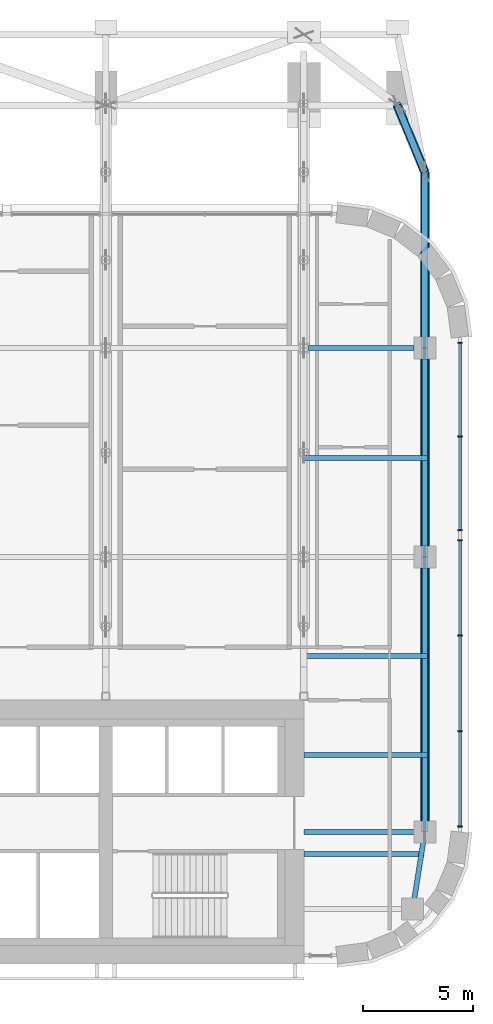
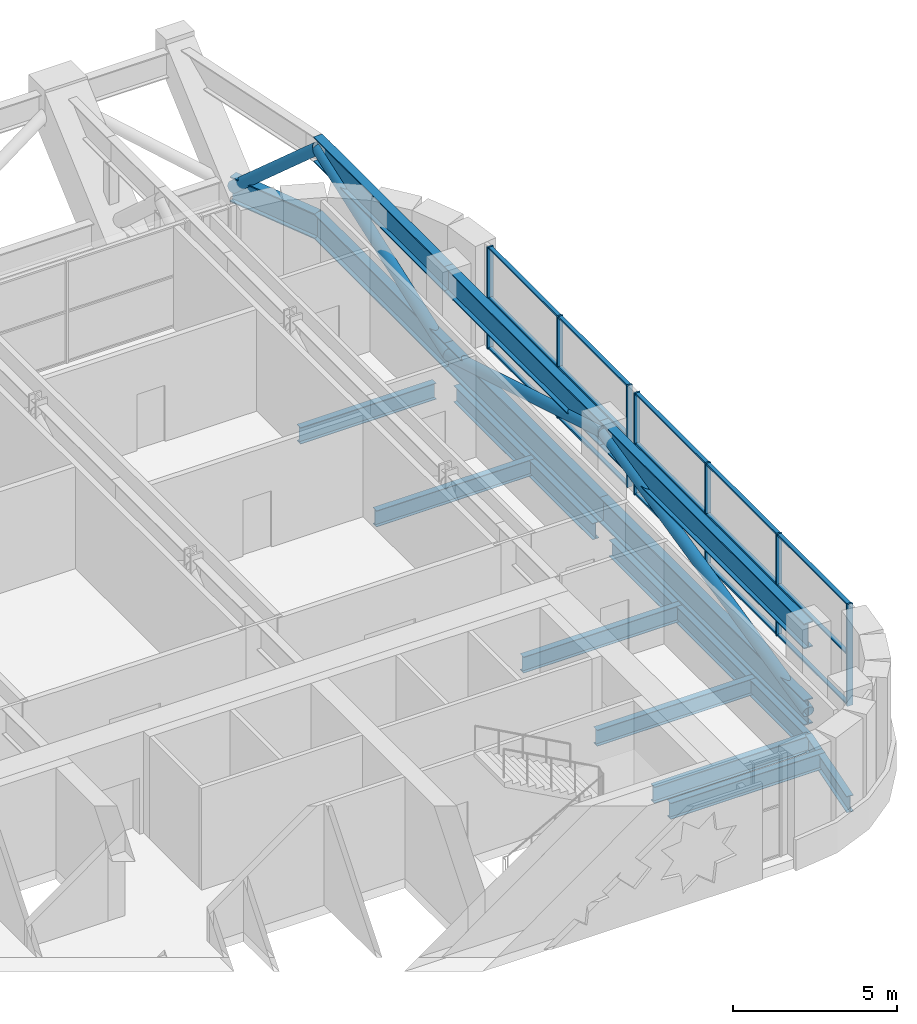
# One storey, part 9 of 23: 33 members, 9 beams, 2 elements without a shape of their own.
"""IFC4 building model written with IfcOpenShell, lengths in metres."""

from ifc_helpers import new_model, si_unit, direction, frame, origin, origin_2d, place, context, subcontext, project, spatial, rectangle, hollow_circle, i_section, extrude, material, material_profile, profile_set, type_object, element, aggregate, save


model = new_model("IFC4")

# Units and contexts
model_context = context("Model", 3, precision=1e-05, world=origin(), true_north=direction((0.0, 1.0)))
body_context = subcontext(model_context, "Body", "Model", "MODEL_VIEW")
ifc_project = project(units=[si_unit("LENGTHUNIT", "METRE"), si_unit("AREAUNIT", "SQUARE_METRE"), si_unit("VOLUMEUNIT", "CUBIC_METRE"), si_unit("PLANEANGLEUNIT", "RADIAN"), si_unit("MASSUNIT", "GRAM", prefix="KILO")], contexts=[model_context])

# Site, building, storey
site_placement = place(None, origin())
site = spatial("IfcSite", under=ifc_project, at=site_placement, CompositionType="ELEMENT")
building_placement = place(site_placement, origin())
building = spatial("IfcBuilding", under=site, at=building_placement, Name="Zellij Exchange Tower", CompositionType="ELEMENT")
storey_placement = place(building_placement, frame((0.0, 0.0, 160.5)))
storey = spatial("IfcBuildingStorey", under=building, at=storey_placement, Name="L36", CompositionType="ELEMENT", Elevation=160.5)

# Curtain wall, members
ifc_material_1 = material(Name="Aluminium frame, clear insulating glass", Category="aluminium")
curtain_wall_type = type_object("IfcCurtainWallType", Name="ENV-CW2 Outrigger-storey glazing", PredefinedType="NOTDEFINED", material=ifc_material_1)
curtain_wall_1_placement = place(storey_placement, origin())
curtain_wall_1 = element("IfcCurtainWall", 1, at=curtain_wall_1_placement, inside=storey, type_object=curtain_wall_type, Name="cw.L36.07a", PredefinedType="NOTDEFINED")
ifc_material_2 = material(Name="Aluminium", Category="aluminium")
ifc_material_profile_1 = material_profile(ifc_material_2, rectangle(XDim=0.06005859375, YDim=0.199951171875, at=origin_2d()), Name="AL 60x200")
ifc_profile_set_1 = profile_set([ifc_material_profile_1], Name="Aluminium")
member_type_1 = type_object("IfcMemberType", Name="ENV-CW2M Mullion 60x200", PredefinedType="MULLION", material=ifc_profile_set_1)
member_1_placement = place(storey_placement, frame((34.10009765625, -7.743896484375, 0.0), z_axis=(0.0, 0.0, 1.0), x_axis=(0.0, 1.0, 0.0)))
member_1 = element("IfcMember", 2, at=member_1_placement, type_object=member_type_1, Name="CW2 mullion 1", PredefinedType="MULLION", context=body_context, shape_type="SweptSolid", body=[
    extrude(rectangle(XDim=0.06005859375, YDim=0.199951171875, at=origin_2d()), origin(), (0.0, 0.0, 1.0), 3.800048828125),
])
member_2_placement = place(storey_placement, frame((34.10009765625, -3.417724609375, 0.0), z_axis=(0.0, 0.0, 1.0), x_axis=(0.0, 1.0, 0.0)))
member_2 = element("IfcMember", 3, at=member_2_placement, type_object=member_type_1, Name="CW2 mullion 2", PredefinedType="MULLION", context=body_context, shape_type="SweptSolid", body=[
    extrude(rectangle(XDim=0.06005859375, YDim=0.199951171875, at=origin_2d()), origin(), (0.0, 0.0, 1.0), 3.800048828125),
])
member_3_placement = place(storey_placement, frame((34.10009765625, 0.9384765625, 0.0), z_axis=(0.0, 0.0, 1.0), x_axis=(0.0, 1.0, 0.0)))
member_3 = element("IfcMember", 4, at=member_3_placement, type_object=member_type_1, Name="CW2 mullion 3", PredefinedType="MULLION", context=body_context, shape_type="SweptSolid", body=[
    extrude(rectangle(XDim=0.06005859375, YDim=0.199951171875, at=origin_2d()), origin(), (0.0, 0.0, 1.0), 3.800048828125),
])
member_4_placement = place(storey_placement, frame((34.10009765625, 5.2646484375, 0.0), z_axis=(0.0, 0.0, 1.0), x_axis=(0.0, 1.0, 0.0)))
member_4 = element("IfcMember", 5, at=member_4_placement, type_object=member_type_1, Name="CW2 mullion 4", PredefinedType="MULLION", context=body_context, shape_type="SweptSolid", body=[
    extrude(rectangle(XDim=0.06005859375, YDim=0.199951171875, at=origin_2d()), origin(), (0.0, 0.0, 1.0), 3.800048828125),
])

curtain_wall_2_placement = place(storey_placement, origin())
curtain_wall_2 = element("IfcCurtainWall", 6, at=curtain_wall_2_placement, inside=storey, type_object=curtain_wall_type, Name="cw.L36.07b", PredefinedType="NOTDEFINED")
member_5_placement = place(storey_placement, frame((34.10009765625, 5.724609375, 0.0), z_axis=(0.0, 0.0, 1.0), x_axis=(0.0, 1.0, 0.0)))
member_5 = element("IfcMember", 7, at=member_5_placement, type_object=member_type_1, Name="CW2 mullion 1", PredefinedType="MULLION", context=body_context, shape_type="SweptSolid", body=[
    extrude(rectangle(XDim=0.06005859375, YDim=0.199951171875, at=origin_2d()), origin(), (0.0, 0.0, 1.0), 3.800048828125),
])
member_6_placement = place(storey_placement, frame((34.10009765625, 9.984130859375, 0.0), z_axis=(0.0, 0.0, 1.0), x_axis=(0.0, 1.0, 0.0)))
member_6 = element("IfcMember", 8, at=member_6_placement, type_object=member_type_1, Name="CW2 mullion 2", PredefinedType="MULLION", context=body_context, shape_type="SweptSolid", body=[
    extrude(rectangle(XDim=0.06005859375, YDim=0.199951171875, at=origin_2d()), origin(), (0.0, 0.0, 1.0), 3.800048828125),
])
member_7_placement = place(storey_placement, frame((34.10009765625, 14.243896484375, 0.0), z_axis=(0.0, 0.0, 1.0), x_axis=(0.0, 1.0, 0.0)))
member_7 = element("IfcMember", 9, at=member_7_placement, type_object=member_type_1, Name="CW2 mullion 3", PredefinedType="MULLION", context=body_context, shape_type="SweptSolid", body=[
    extrude(rectangle(XDim=0.06005859375, YDim=0.199951171875, at=origin_2d()), origin(), (0.0, 0.0, 1.0), 3.800048828125),
])

# Member
ifc_material_profile_2 = material_profile(ifc_material_2, rectangle(XDim=0.139892578125, YDim=0.06005859375, at=origin_2d()), Name="AL 140x60")
ifc_profile_set_2 = profile_set([ifc_material_profile_2], Name="Aluminium")
member_type_2 = type_object("IfcMemberType", Name="ENV-CW2T Transom 140x60", PredefinedType="USERDEFINED", material=ifc_profile_set_2)
member_8_placement = place(storey_placement, frame((34.10009765625, -7.7138671875, 0.030029296875), z_axis=(0.0, 1.0, 0.0), x_axis=(-1.0, 0.0, 0.0)))
member_8 = element("IfcMember", 10, at=member_8_placement, type_object=member_type_2, Name="CW2 transom 1.1", ObjectType="TRANSOM", PredefinedType="USERDEFINED", context=body_context, shape_type="SweptSolid", body=[
    extrude(rectangle(XDim=0.139892578125, YDim=0.06005859375, at=origin_2d()), origin(), (0.0, 0.0, 1.0), 4.26611328125),
])

member_9_placement = place(storey_placement, frame((34.10009765625, -7.7138671875, 1.89990234375), z_axis=(0.0, 1.0, 0.0), x_axis=(-1.0, 0.0, 0.0)))
member_9 = element("IfcMember", 11, at=member_9_placement, type_object=member_type_2, Name="CW2 transom 1.2", ObjectType="TRANSOM", PredefinedType="USERDEFINED", context=body_context, shape_type="SweptSolid", body=[
    extrude(rectangle(XDim=0.139892578125, YDim=0.06005859375, at=origin_2d()), origin(), (0.0, 0.0, 1.0), 4.26611328125),
])

member_10_placement = place(storey_placement, frame((34.10009765625, -7.7138671875, 3.77001953125), z_axis=(0.0, 1.0, 0.0), x_axis=(-1.0, 0.0, 0.0)))
member_10 = element("IfcMember", 12, at=member_10_placement, type_object=member_type_2, Name="CW2 transom 1.3", ObjectType="TRANSOM", PredefinedType="USERDEFINED", context=body_context, shape_type="SweptSolid", body=[
    extrude(rectangle(XDim=0.139892578125, YDim=0.06005859375, at=origin_2d()), origin(), (0.0, 0.0, 1.0), 4.26611328125),
])

member_11_placement = place(storey_placement, frame((34.10009765625, -3.3876953125, 0.030029296875), z_axis=(0.0, 1.0, 0.0), x_axis=(-1.0, 0.0, 0.0)))
member_11 = element("IfcMember", 13, at=member_11_placement, type_object=member_type_2, Name="CW2 transom 2.1", ObjectType="TRANSOM", PredefinedType="USERDEFINED", context=body_context, shape_type="SweptSolid", body=[
    extrude(rectangle(XDim=0.139892578125, YDim=0.06005859375, at=origin_2d()), origin(), (0.0, 0.0, 1.0), 4.296142578125),
])

member_12_placement = place(storey_placement, frame((34.10009765625, -3.3876953125, 1.89990234375), z_axis=(0.0, 1.0, 0.0), x_axis=(-1.0, 0.0, 0.0)))
member_12 = element("IfcMember", 14, at=member_12_placement, type_object=member_type_2, Name="CW2 transom 2.2", ObjectType="TRANSOM", PredefinedType="USERDEFINED", context=body_context, shape_type="SweptSolid", body=[
    extrude(rectangle(XDim=0.139892578125, YDim=0.06005859375, at=origin_2d()), origin(), (0.0, 0.0, 1.0), 4.296142578125),
])

member_13_placement = place(storey_placement, frame((34.10009765625, -3.3876953125, 3.77001953125), z_axis=(0.0, 1.0, 0.0), x_axis=(-1.0, 0.0, 0.0)))
member_13 = element("IfcMember", 15, at=member_13_placement, type_object=member_type_2, Name="CW2 transom 2.3", ObjectType="TRANSOM", PredefinedType="USERDEFINED", context=body_context, shape_type="SweptSolid", body=[
    extrude(rectangle(XDim=0.139892578125, YDim=0.06005859375, at=origin_2d()), origin(), (0.0, 0.0, 1.0), 4.296142578125),
])

member_14_placement = place(storey_placement, frame((34.10009765625, 0.968505859375, 0.030029296875), z_axis=(0.0, 1.0, 0.0), x_axis=(-1.0, 0.0, 0.0)))
member_14 = element("IfcMember", 16, at=member_14_placement, type_object=member_type_2, Name="CW2 transom 3.1", ObjectType="TRANSOM", PredefinedType="USERDEFINED", context=body_context, shape_type="SweptSolid", body=[
    extrude(rectangle(XDim=0.139892578125, YDim=0.06005859375, at=origin_2d()), origin(), (0.0, 0.0, 1.0), 4.26611328125),
])

member_15_placement = place(storey_placement, frame((34.10009765625, 0.968505859375, 1.89990234375), z_axis=(0.0, 1.0, 0.0), x_axis=(-1.0, 0.0, 0.0)))
member_15 = element("IfcMember", 17, at=member_15_placement, type_object=member_type_2, Name="CW2 transom 3.2", ObjectType="TRANSOM", PredefinedType="USERDEFINED", context=body_context, shape_type="SweptSolid", body=[
    extrude(rectangle(XDim=0.139892578125, YDim=0.06005859375, at=origin_2d()), origin(), (0.0, 0.0, 1.0), 4.26611328125),
])

member_16_placement = place(storey_placement, frame((34.10009765625, 0.968505859375, 3.77001953125), z_axis=(0.0, 1.0, 0.0), x_axis=(-1.0, 0.0, 0.0)))
member_16 = element("IfcMember", 18, at=member_16_placement, type_object=member_type_2, Name="CW2 transom 3.3", ObjectType="TRANSOM", PredefinedType="USERDEFINED", context=body_context, shape_type="SweptSolid", body=[
    extrude(rectangle(XDim=0.139892578125, YDim=0.06005859375, at=origin_2d()), origin(), (0.0, 0.0, 1.0), 4.26611328125),
])

aggregate(curtain_wall_1, [member_1, member_2, member_3, member_4, member_8, member_9, member_10, member_11, member_12, member_13, member_14, member_15, member_16])

member_17_placement = place(storey_placement, frame((34.10009765625, 5.754638671875, 0.030029296875), z_axis=(0.0, 1.0, 0.0), x_axis=(-1.0, 0.0, 0.0)))
member_17 = element("IfcMember", 19, at=member_17_placement, type_object=member_type_2, Name="CW2 transom 1.1", ObjectType="TRANSOM", PredefinedType="USERDEFINED", context=body_context, shape_type="SweptSolid", body=[
    extrude(rectangle(XDim=0.139892578125, YDim=0.06005859375, at=origin_2d()), origin(), (0.0, 0.0, 1.0), 4.19970703125),
])

member_18_placement = place(storey_placement, frame((34.10009765625, 5.754638671875, 1.89990234375), z_axis=(0.0, 1.0, 0.0), x_axis=(-1.0, 0.0, 0.0)))
member_18 = element("IfcMember", 20, at=member_18_placement, type_object=member_type_2, Name="CW2 transom 1.2", ObjectType="TRANSOM", PredefinedType="USERDEFINED", context=body_context, shape_type="SweptSolid", body=[
    extrude(rectangle(XDim=0.139892578125, YDim=0.06005859375, at=origin_2d()), origin(), (0.0, 0.0, 1.0), 4.19970703125),
])

member_19_placement = place(storey_placement, frame((34.10009765625, 5.754638671875, 3.77001953125), z_axis=(0.0, 1.0, 0.0), x_axis=(-1.0, 0.0, 0.0)))
member_19 = element("IfcMember", 21, at=member_19_placement, type_object=member_type_2, Name="CW2 transom 1.3", ObjectType="TRANSOM", PredefinedType="USERDEFINED", context=body_context, shape_type="SweptSolid", body=[
    extrude(rectangle(XDim=0.139892578125, YDim=0.06005859375, at=origin_2d()), origin(), (0.0, 0.0, 1.0), 4.19970703125),
])

member_20_placement = place(storey_placement, frame((34.10009765625, 10.01416015625, 0.030029296875), z_axis=(0.0, 1.0, 0.0), x_axis=(-1.0, 0.0, 0.0)))
member_20 = element("IfcMember", 22, at=member_20_placement, type_object=member_type_2, Name="CW2 transom 2.1", ObjectType="TRANSOM", PredefinedType="USERDEFINED", context=body_context, shape_type="SweptSolid", body=[
    extrude(rectangle(XDim=0.139892578125, YDim=0.06005859375, at=origin_2d()), origin(), (0.0, 0.0, 1.0), 4.19970703125),
])

member_21_placement = place(storey_placement, frame((34.10009765625, 10.01416015625, 1.89990234375), z_axis=(0.0, 1.0, 0.0), x_axis=(-1.0, 0.0, 0.0)))
member_21 = element("IfcMember", 23, at=member_21_placement, type_object=member_type_2, Name="CW2 transom 2.2", ObjectType="TRANSOM", PredefinedType="USERDEFINED", context=body_context, shape_type="SweptSolid", body=[
    extrude(rectangle(XDim=0.139892578125, YDim=0.06005859375, at=origin_2d()), origin(), (0.0, 0.0, 1.0), 4.19970703125),
])

member_22_placement = place(storey_placement, frame((34.10009765625, 10.01416015625, 3.77001953125), z_axis=(0.0, 1.0, 0.0), x_axis=(-1.0, 0.0, 0.0)))
member_22 = element("IfcMember", 24, at=member_22_placement, type_object=member_type_2, Name="CW2 transom 2.3", ObjectType="TRANSOM", PredefinedType="USERDEFINED", context=body_context, shape_type="SweptSolid", body=[
    extrude(rectangle(XDim=0.139892578125, YDim=0.06005859375, at=origin_2d()), origin(), (0.0, 0.0, 1.0), 4.19970703125),
])

aggregate(curtain_wall_2, [member_5, member_6, member_7, member_17, member_18, member_19, member_20, member_21, member_22])

# Beams
ifc_material_3 = material(Name="Structural steel ASTM A992 Gr 50", Category="steel")
ifc_material_profile_3 = material_profile(ifc_material_3, i_section(OverallWidth=0.227783203125, OverallDepth=0.60205078125, WebThickness=0.010498046875, FlangeThickness=0.014892578125, at=origin_2d()), Name="W24x68")
ifc_profile_set_3 = profile_set([ifc_material_profile_3], Name="Structural steel ASTM A992 Gr 50")
beam_type_1 = type_object("IfcBeamType", Name="STR-BEAM W24x68", PredefinedType="BEAM", material=ifc_profile_set_3)
beam_1_placement = place(storey_placement, frame((27.0, -9.0, -0.65087890625), z_axis=(1.0, 0.0, 0.0), x_axis=(0.0, 1.0, 0.0)))
element("IfcBeam", 25, at=beam_1_placement, inside=storey, type_object=beam_type_1, Name="B5", PredefinedType="BEAM", context=body_context, shape_type="SweptSolid", body=[
    extrude(i_section(OverallWidth=0.227783203125, OverallDepth=0.60205078125, WebThickness=0.010498046875, FlangeThickness=0.014892578125, at=origin_2d()), origin(), (0.0, 0.0, 1.0), 5.458740234375),
])
for number, where, z_axis, x_axis, name in (
    (26, (27.0, -4.5, -0.65087890625), (1.0, 0.0, 0.0), (0.0, 1.0, 0.0), "B5"),
    (27, (27.0, 0.0, -0.65087890625), (1.0, 0.0, 0.0), (0.0, 1.0, 0.0), "B5"),
    (28, (27.0, 9.0, -0.65087890625), (1.0, 0.0, 0.0), (0.0, 1.0, 0.0), "B5"),
):
    element("IfcBeam", number, at=place(storey_placement, frame(where, z_axis=z_axis, x_axis=x_axis)), inside=storey, type_object=beam_type_1, Name=name, PredefinedType="BEAM", context=body_context, shape_type="SweptSolid", body=[
        extrude(i_section(OverallWidth=0.227783203125, OverallDepth=0.60205078125, WebThickness=0.010498046875, FlangeThickness=0.014892578125, at=origin_2d()), origin(), (0.0, 0.0, 1.0), 5.614501953125),
    ])

# Members
ifc_material_profile_4 = material_profile(ifc_material_3, i_section(OverallWidth=0.307373046875, OverallDepth=0.9423828125, WebThickness=0.022216796875, FlangeThickness=0.039794921875, at=origin_2d()), Name="W36x232")
ifc_profile_set_4 = profile_set([ifc_material_profile_4], Name="Structural steel ASTM A992 Gr 50")
member_type_3 = type_object("IfcMemberType", Name="STR-BELT TRUSS CHORD W36x232", PredefinedType="CHORD", material=ifc_profile_set_4)
for number, where, z_axis, x_axis, name in (
    (29, (32.5, -8.0, 0.47119140625), (0.0, 1.0, 0.0), (-1.0, 0.0, 0.0), "BT1"),
    (30, (32.5, -8.0, 3.328857421875), (0.0, 1.0, 0.0), (-1.0, 0.0, 0.0), "BT1"),
):
    element("IfcMember", number, at=place(storey_placement, frame(where, z_axis=z_axis, x_axis=x_axis)), inside=storey, type_object=member_type_3, Name=name, PredefinedType="CHORD", context=body_context, shape_type="SweptSolid", body=[
        extrude(i_section(OverallWidth=0.307373046875, OverallDepth=0.9423828125, WebThickness=0.022216796875, FlangeThickness=0.039794921875, at=origin_2d()), origin(), (0.0, 0.0, 1.0), 12.5),
    ])
for number, where, z_axis, x_axis, name in (
    (31, (32.5, 4.5, 0.47119140625), (0.0, 1.0, 0.0), (-1.0, 0.0, 0.0), "BT1"),
    (32, (32.5, 4.5, 3.328857421875), (0.0, 1.0, 0.0), (-1.0, 0.0, 0.0), "BT1"),
):
    element("IfcMember", number, at=place(storey_placement, frame(where, z_axis=z_axis, x_axis=x_axis)), inside=storey, type_object=member_type_3, Name=name, PredefinedType="CHORD", context=body_context, shape_type="SweptSolid", body=[
        extrude(i_section(OverallWidth=0.307373046875, OverallDepth=0.9423828125, WebThickness=0.022216796875, FlangeThickness=0.039794921875, at=origin_2d()), origin(), (0.0, 0.0, 1.0), 9.5),
    ])
for number, where, z_axis, x_axis, name in (
    (33, (32.5, 14.0, 0.47119140625), (0.0, 1.0, 0.0), (-1.0, 0.0, 0.0), "BT1"),
    (34, (32.5, 14.0, 3.328857421875), (0.0, 1.0, 0.0), (-1.0, 0.0, 0.0), "BT1"),
):
    element("IfcMember", number, at=place(storey_placement, frame(where, z_axis=z_axis, x_axis=x_axis)), inside=storey, type_object=member_type_3, Name=name, PredefinedType="CHORD", context=body_context, shape_type="SweptSolid", body=[
        extrude(i_section(OverallWidth=0.307373046875, OverallDepth=0.9423828125, WebThickness=0.022216796875, FlangeThickness=0.039794921875, at=origin_2d()), origin(), (0.0, 0.0, 1.0), 8.0),
    ])
member_23_placement = place(storey_placement, frame((32.5, 22.0, 0.47119140625), z_axis=(-0.381360362466, 0.92442645675, 0.0), x_axis=(-0.92442645675, -0.381360362466, 0.0)))
element("IfcMember", 35, at=member_23_placement, inside=storey, type_object=member_type_3, Name="BT1", PredefinedType="CHORD", context=body_context, shape_type="SweptSolid", body=[
    extrude(i_section(OverallWidth=0.307373046875, OverallDepth=0.9423828125, WebThickness=0.022216796875, FlangeThickness=0.039794921875, at=origin_2d()), origin(), (0.0, 0.0, 1.0), 3.27783203125),
])
ifc_material_4 = material(Name="Structural steel ASTM A500 Gr C", Category="steel")
ifc_material_profile_5 = material_profile(ifc_material_4, hollow_circle(Radius=0.203125, WallThickness=0.01171875, at=origin_2d()), Name="STR-BELT TRUSS DIAGONAL HSS16.000x0.500")
ifc_profile_set_5 = profile_set([ifc_material_profile_5], Name="Structural steel ASTM A500 Gr C")
member_type_4 = type_object("IfcMemberType", Name="STR-BELT TRUSS DIAGONAL HSS16.000x0.500", PredefinedType="BRACE", material=ifc_profile_set_5)
member_24_placement = place(storey_placement, frame((32.5, -8.0, 0.47119140625), z_axis=(0.0, 0.974849643102, 0.222863575635), x_axis=(-1.0, 0.0, 0.0)))
element("IfcMember", 36, at=member_24_placement, inside=storey, type_object=member_type_4, Name="BT2", PredefinedType="BRACE", context=body_context, shape_type="SweptSolid", body=[
    extrude(hollow_circle(Radius=0.203125, WallThickness=0.01171875, at=origin_2d()), origin(), (0.0, 0.0, 1.0), 12.822509765625),
])
member_25_placement = place(storey_placement, frame((32.5, 4.5, 3.328857421875), z_axis=(0.0, 0.957613340709, -0.288056747353), x_axis=(-1.0, 0.0, 0.0)))
element("IfcMember", 37, at=member_25_placement, inside=storey, type_object=member_type_4, Name="BT2", PredefinedType="BRACE", context=body_context, shape_type="SweptSolid", body=[
    extrude(hollow_circle(Radius=0.203125, WallThickness=0.01171875, at=origin_2d()), origin(), (0.0, 0.0, 1.0), 9.92041015625),
])
member_26_placement = place(storey_placement, frame((32.5, 14.0, 0.47119140625), z_axis=(0.0, 0.941722403843, 0.336391013702), x_axis=(-1.0, 0.0, 0.0)))
element("IfcMember", 38, at=member_26_placement, inside=storey, type_object=member_type_4, Name="BT2", PredefinedType="BRACE", context=body_context, shape_type="SweptSolid", body=[
    extrude(hollow_circle(Radius=0.203125, WallThickness=0.01171875, at=origin_2d()), origin(), (0.0, 0.0, 1.0), 8.4951171875),
])
member_27_placement = place(storey_placement, frame((32.5, 22.0, 3.328857421875), z_axis=(-0.287452553495, 0.69679172684, -0.657154714581), x_axis=(-0.92442645675, -0.381360362466, 0.0)))
element("IfcMember", 39, at=member_27_placement, inside=storey, type_object=member_type_4, Name="BT2", PredefinedType="BRACE", context=body_context, shape_type="SweptSolid", body=[
    extrude(hollow_circle(Radius=0.203125, WallThickness=0.01171875, at=origin_2d()), origin(), (0.0, 0.0, 1.0), 4.3486328125),
])

# Beams
ifc_material_profile_6 = material_profile(ifc_material_3, i_section(OverallWidth=0.22900390625, OverallDepth=0.612060546875, WebThickness=0.011962890625, FlangeThickness=0.01953125, at=origin_2d()), Name="W24x84")
ifc_profile_set_6 = profile_set([ifc_material_profile_6], Name="Structural steel ASTM A992 Gr 50")
beam_type_2 = type_object("IfcBeamType", Name="STR-EDGE GIRDER W24x84", PredefinedType="BEAM", material=ifc_profile_set_6)
beam_2_placement = place(storey_placement, frame((31.949951171875, -11.5, -0.656005859375), z_axis=(0.155251283593, 0.987875011802, 0.0), x_axis=(-0.987875011802, 0.155251283593, 0.0)))
element("IfcBeam", 40, at=beam_2_placement, inside=storey, type_object=beam_type_2, Name="EB6", PredefinedType="BEAM", context=body_context, shape_type="SweptSolid", body=[
    extrude(i_section(OverallWidth=0.22900390625, OverallDepth=0.612060546875, WebThickness=0.011962890625, FlangeThickness=0.01953125, at=origin_2d()), origin(), (0.0, 0.0, 1.0), 3.54296875),
])
beam_3_placement = place(storey_placement, frame((32.5, -8.0, -0.656005859375), z_axis=(0.0, 1.0, 0.0), x_axis=(-1.0, 0.0, 0.0)))
element("IfcBeam", 41, at=beam_3_placement, inside=storey, type_object=beam_type_2, Name="EB6", PredefinedType="BEAM", context=body_context, shape_type="SweptSolid", body=[
    extrude(i_section(OverallWidth=0.22900390625, OverallDepth=0.612060546875, WebThickness=0.011962890625, FlangeThickness=0.01953125, at=origin_2d()), origin(), (0.0, 0.0, 1.0), 12.0),
])
beam_4_placement = place(storey_placement, frame((32.5, 5.0, -0.656005859375), z_axis=(0.0, 1.0, 0.0), x_axis=(-1.0, 0.0, 0.0)))
element("IfcBeam", 42, at=beam_4_placement, inside=storey, type_object=beam_type_2, Name="EB6", PredefinedType="BEAM", context=body_context, shape_type="SweptSolid", body=[
    extrude(i_section(OverallWidth=0.22900390625, OverallDepth=0.612060546875, WebThickness=0.011962890625, FlangeThickness=0.01953125, at=origin_2d()), origin(), (0.0, 0.0, 1.0), 8.5),
])
ifc_material_profile_7 = material_profile(ifc_material_3, i_section(OverallWidth=0.22900390625, OverallDepth=0.612060546875, WebThickness=0.011962890625, FlangeThickness=0.01953125, at=origin_2d()), Name="W24x84")
ifc_profile_set_7 = profile_set([ifc_material_profile_7], Name="Structural steel ASTM A992 Gr 50")
beam_type_3 = type_object("IfcBeamType", Name="STR-GIRDER W24x84", PredefinedType="BEAM", material=ifc_profile_set_7)
beam_5_placement = place(storey_placement, frame((27.0, -8.0, -0.656005859375), z_axis=(1.0, 0.0, 0.0), x_axis=(0.0, 1.0, 0.0)))
element("IfcBeam", 43, at=beam_5_placement, inside=storey, type_object=beam_type_3, Name="G4", PredefinedType="BEAM", context=body_context, shape_type="SweptSolid", body=[
    extrude(i_section(OverallWidth=0.22900390625, OverallDepth=0.612060546875, WebThickness=0.011962890625, FlangeThickness=0.01953125, at=origin_2d()), origin(), (0.0, 0.0, 1.0), 5.5),
])
beam_6_placement = place(storey_placement, frame((27.209716796875, 14.0, -0.656005859375), z_axis=(1.0, 0.0, 0.0), x_axis=(0.0, 1.0, 0.0)))
element("IfcBeam", 44, at=beam_6_placement, inside=storey, type_object=beam_type_3, Name="G4", PredefinedType="BEAM", context=body_context, shape_type="SweptSolid", body=[
    extrude(i_section(OverallWidth=0.22900390625, OverallDepth=0.612060546875, WebThickness=0.011962890625, FlangeThickness=0.01953125, at=origin_2d()), origin(), (0.0, 0.0, 1.0), 4.790283203125),
])

save(model, "model.ifc")
